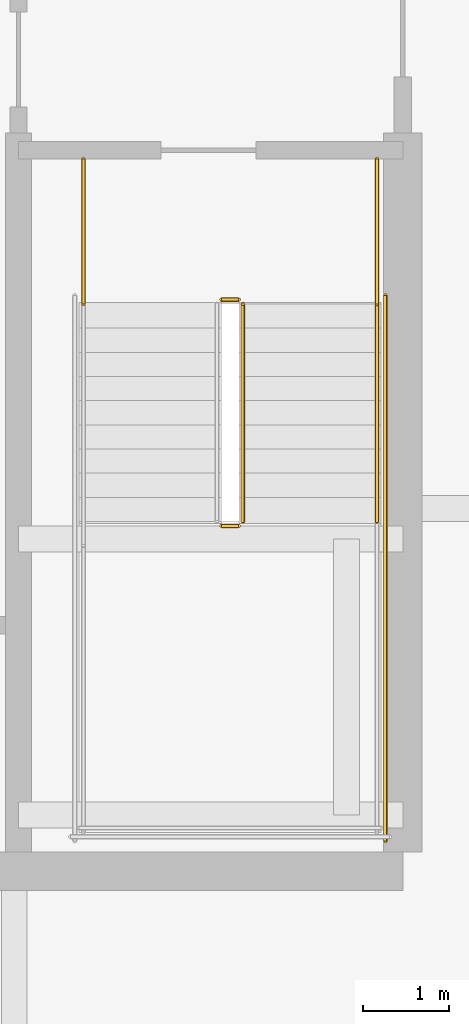
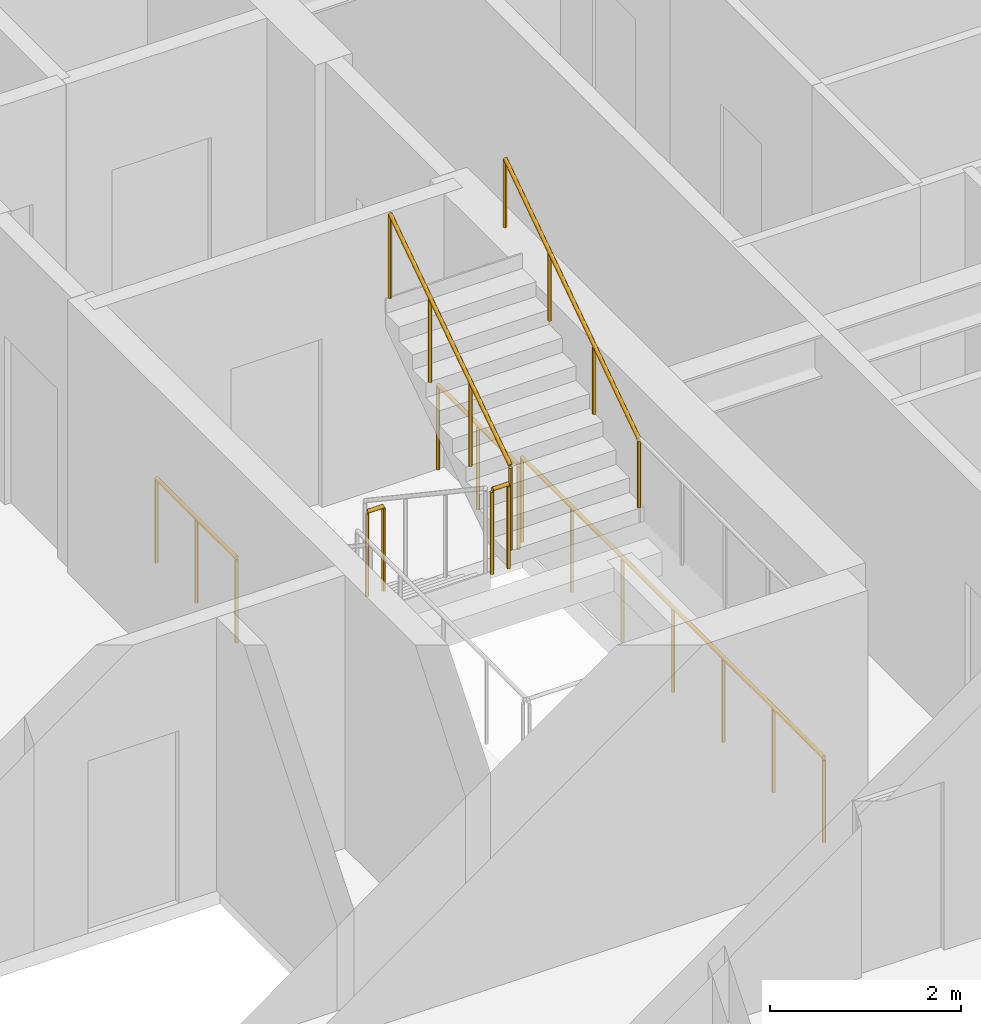
# One storey, part 33 of 35: 7 railings.
"""IFC4 building model written with IfcOpenShell, lengths in metres."""

from ifc_helpers import new_model, si_unit, direction, frame, origin, origin_2d, place, context, subcontext, project, spatial, circle, extrude, material, type_object, element, save


model = new_model("IFC4")

# Units and contexts
model_context = context("Model", 3, precision=1e-05, world=origin(), true_north=direction((0.0, 1.0)))
body_context = subcontext(model_context, "Body", "Model", "MODEL_VIEW")
ifc_project = project(units=[si_unit("LENGTHUNIT", "METRE"), si_unit("AREAUNIT", "SQUARE_METRE"), si_unit("VOLUMEUNIT", "CUBIC_METRE"), si_unit("PLANEANGLEUNIT", "RADIAN"), si_unit("MASSUNIT", "GRAM", prefix="KILO")], contexts=[model_context])

# Site, building, storey
site_placement = place(None, origin())
site = spatial("IfcSite", under=ifc_project, at=site_placement, CompositionType="ELEMENT")
building_placement = place(site_placement, origin())
building = spatial("IfcBuilding", under=site, at=building_placement, Name="Serunith Strait Residences", CompositionType="ELEMENT")
storey_placement = place(building_placement, frame((0.0, 0.0, 71.699951171875)))
storey = spatial("IfcBuildingStorey", under=building, at=storey_placement, Name="L17", CompositionType="ELEMENT", Elevation=71.699951171875)

# Railings
ifc_material = material(Name="Brushed stainless steel 316L", Category="steel")
railing_type_1 = type_object("IfcRailingType", Name="RLG-STAIR-GUARD", PredefinedType="BALUSTRADE", material=ifc_material)
railing_1_placement = place(storey_placement, frame((39.300048828125, 20.800048828125, 1.875)))
element("IfcRailing", 1, at=railing_1_placement, inside=storey, type_object=railing_type_1, Name="L17 ST-2 stair guard 2", PredefinedType="BALUSTRADE", context=body_context, shape_type="SweptSolid", body=[
    extrude(circle(Radius=0.02392578125, at=origin_2d()), frame((0.001953125, 0.0, 1.076171875), z_axis=(1.0, 0.0, 0.0), x_axis=(0.0, 1.0, 0.0)), (0.0, 0.0, 1.0), 0.196044921875),
    extrude(circle(Radius=0.02099609375, at=origin_2d()), origin(), (0.0, 0.0, 1.0), 1.050048828125),
    extrude(circle(Radius=0.02099609375, at=origin_2d()), frame((0.199951171875, 0.0, 0.0)), (0.0, 0.0, 1.0), 1.050048828125),
])
railing_2_placement = place(storey_placement, frame((39.550048828125, 20.85009765625, 2.0625)))
element("IfcRailing", 2, at=railing_2_placement, inside=storey, type_object=railing_type_1, Name="L17 ST-2 stair guard 6", PredefinedType="BALUSTRADE", context=body_context, shape_type="SweptSolid", body=[
    extrude(circle(Radius=0.02392578125, at=origin_2d()), frame((0.0, 0.001708984375, 1.0771484375), z_axis=(0.0, 0.830909170722, 0.55640807867), x_axis=(-1.0, 0.0, 0.0)), (0.0, 0.0, 1.0), 3.02880859375),
    extrude(circle(Radius=0.02099609375, at=origin_2d()), origin(), (0.0, 0.0, 1.0), 1.050048828125),
    extrude(circle(Radius=0.02099609375, at=origin_2d()), frame((0.0, 0.840087890625, 0.5625)), (0.0, 0.0, 1.0), 1.050048828125),
    extrude(circle(Radius=0.02099609375, at=origin_2d()), frame((0.0, 1.679931640625, 1.125)), (0.0, 0.0, 1.0), 1.050048828125),
    extrude(circle(Radius=0.02099609375, at=origin_2d()), frame((0.0, 2.52001953125, 1.6875)), (0.0, 0.0, 1.0), 1.050048828125),
])
railing_3_placement = place(storey_placement, frame((39.300048828125, 23.419921875, 0.0)))
element("IfcRailing", 3, at=railing_3_placement, inside=storey, type_object=railing_type_1, Name="L17 ST-2 stair guard 7", PredefinedType="BALUSTRADE", context=body_context, shape_type="SweptSolid", body=[
    extrude(circle(Radius=0.02392578125, at=origin_2d()), frame((0.001953125, 0.0, 1.076171875), z_axis=(1.0, 0.0, 0.0), x_axis=(0.0, 1.0, 0.0)), (0.0, 0.0, 1.0), 0.196044921875),
    extrude(circle(Radius=0.02099609375, at=origin_2d()), origin(), (0.0, 0.0, 1.0), 1.050048828125),
    extrude(circle(Radius=0.02099609375, at=origin_2d()), frame((0.199951171875, 0.0, 0.0)), (0.0, 0.0, 1.0), 1.050048828125),
])
for number, where, name in (
    (4, (37.699951171875, 25.050048828125, 0.0), "L17 ST-2 stair guard 8"),
    (5, (41.10009765625, 25.050048828125, 0.0), "L17 ST-2 stair guard 9"),
):
    element("IfcRailing", number, at=place(storey_placement, frame(where)), inside=storey, type_object=railing_type_1, Name=name, PredefinedType="BALUSTRADE", context=body_context, shape_type="SweptSolid", body=[
        extrude(circle(Radius=0.02392578125, at=origin_2d()), frame((0.0, -0.001953125, 1.076171875), z_axis=(0.0, -1.0, 0.0), x_axis=(1.0, 0.0, 0.0)), (0.0, 0.0, 1.0), 1.676025390625),
        extrude(circle(Radius=0.02099609375, at=origin_2d()), origin(), (0.0, 0.0, 1.0), 1.050048828125),
        extrude(circle(Radius=0.02099609375, at=origin_2d()), frame((0.0, -0.83984375, 0.0)), (0.0, 0.0, 1.0), 1.050048828125),
        extrude(circle(Radius=0.02099609375, at=origin_2d()), frame((0.0, -1.679931640625, 0.0)), (0.0, 0.0, 1.0), 1.050048828125),
    ])
railing_4_placement = place(storey_placement, frame((41.199951171875, 23.469970703125, 0.0)))
element("IfcRailing", 6, at=railing_4_placement, inside=storey, type_object=railing_type_1, Name="L17 ST-2 stair guard 11", PredefinedType="BALUSTRADE", context=body_context, shape_type="SweptSolid", body=[
    extrude(circle(Radius=0.02392578125, at=origin_2d()), frame((0.0, -0.001953125, 1.076171875), z_axis=(0.0, -1.0, 0.0), x_axis=(1.0, 0.0, 0.0)), (0.0, 0.0, 1.0), 6.316162109375),
    extrude(circle(Radius=0.02099609375, at=origin_2d()), origin(), (0.0, 0.0, 1.0), 1.050048828125),
    extrude(circle(Radius=0.02099609375, at=origin_2d()), frame((0.0, -1.05322265625, 0.0)), (0.0, 0.0, 1.0), 1.050048828125),
    extrude(circle(Radius=0.02099609375, at=origin_2d()), frame((0.0, -2.106689453125, 0.0)), (0.0, 0.0, 1.0), 1.050048828125),
    extrude(circle(Radius=0.02099609375, at=origin_2d()), frame((0.0, -3.16015625, 0.0)), (0.0, 0.0, 1.0), 1.050048828125),
    extrude(circle(Radius=0.02099609375, at=origin_2d()), frame((0.0, -4.21337890625, 0.0)), (0.0, 0.0, 1.0), 1.050048828125),
    extrude(circle(Radius=0.02099609375, at=origin_2d()), frame((0.0, -5.2666015625, 0.0)), (0.0, 0.0, 1.0), 1.050048828125),
    extrude(circle(Radius=0.02099609375, at=origin_2d()), frame((0.0, -6.320068359375, 0.0)), (0.0, 0.0, 1.0), 1.050048828125),
])
railing_type_2 = type_object("IfcRailingType", Name="RLG-STAIR-HR", PredefinedType="HANDRAIL", material=ifc_material)
railing_5_placement = place(storey_placement, frame((41.10009765625, 20.85009765625, 2.0625)))
element("IfcRailing", 7, at=railing_5_placement, inside=storey, type_object=railing_type_2, Name="L17 ST-2 stair handrail 2", PredefinedType="HANDRAIL", context=body_context, shape_type="SweptSolid", body=[
    extrude(circle(Radius=0.02392578125, at=origin_2d()), frame((0.0, 0.001708984375, 0.876953125), z_axis=(0.0, 0.830185712471, 0.557486935101), x_axis=(-1.0, 0.0, 0.0)), (0.0, 0.0, 1.0), 3.368408203125),
    extrude(circle(Radius=0.02099609375, at=origin_2d()), origin(), (0.0, 0.0, 1.0), 0.849853515625),
    extrude(circle(Radius=0.02099609375, at=origin_2d()), frame((0.0, 0.933349609375, 0.626708984375)), (0.0, 0.0, 1.0), 0.849853515625),
    extrude(circle(Radius=0.02099609375, at=origin_2d()), frame((0.0, 1.866455078125, 1.25341796875)), (0.0, 0.0, 1.0), 0.849853515625),
    extrude(circle(Radius=0.02099609375, at=origin_2d()), frame((0.0, 2.7998046875, 1.880126953125)), (0.0, 0.0, 1.0), 0.849853515625),
])

save(model, "model.ifc")
